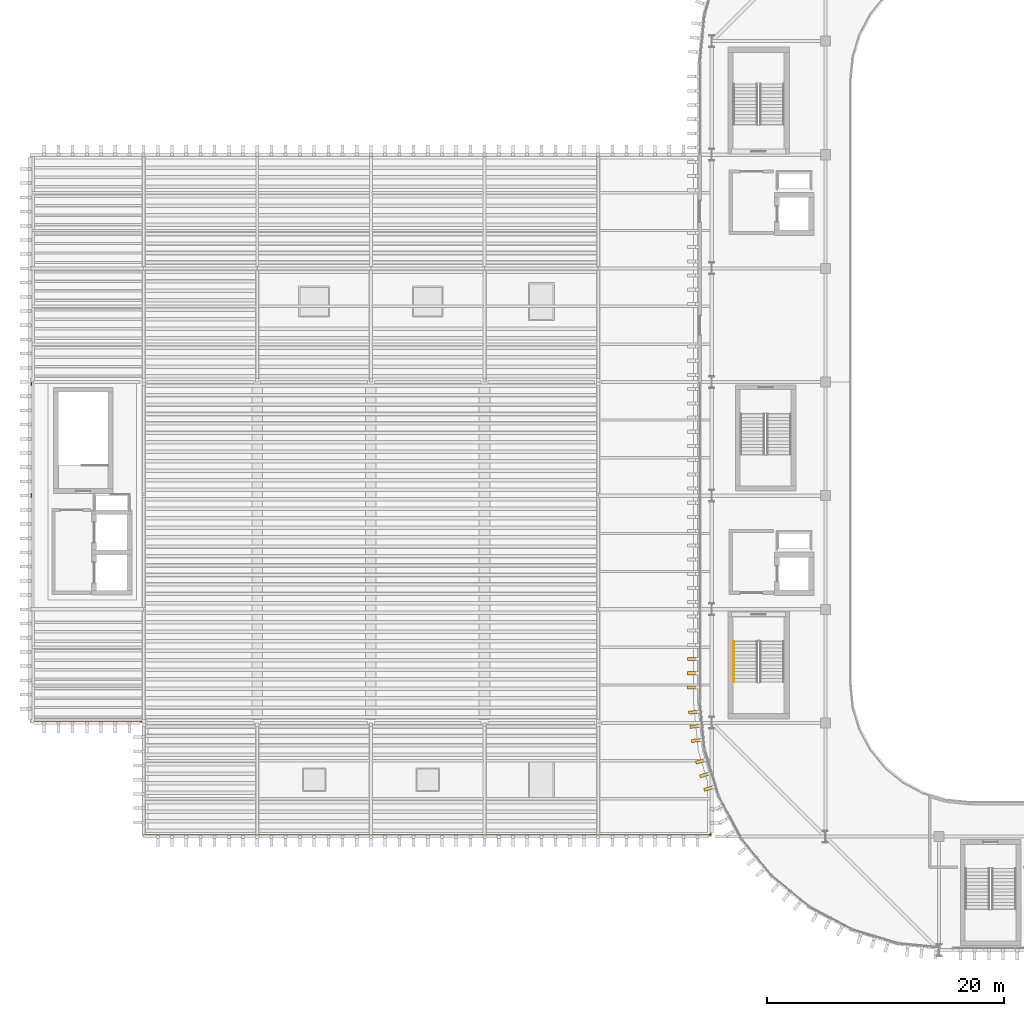
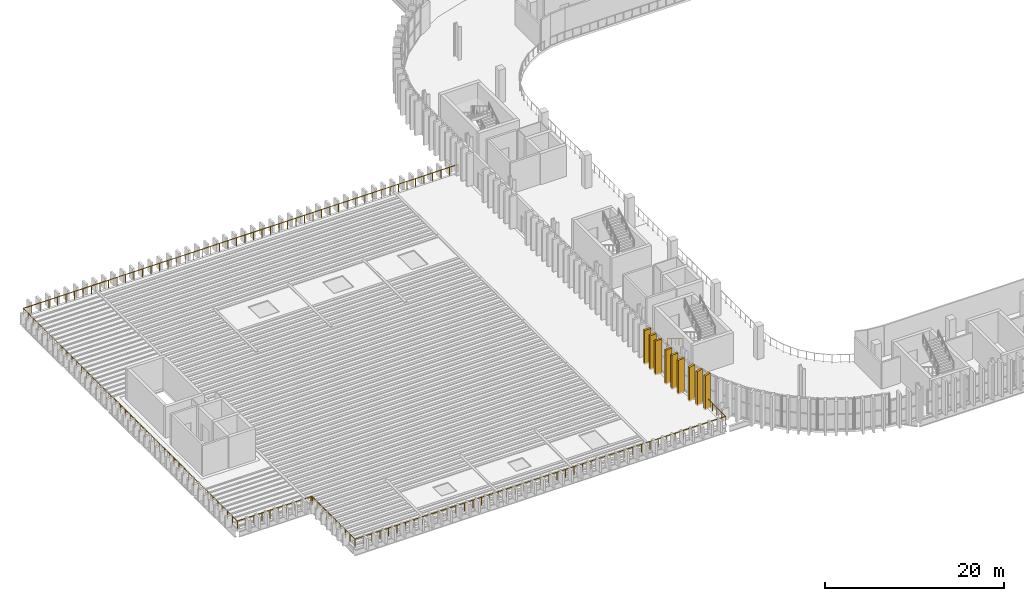
# One storey, part 74 of 92: 9 coverings, 2 railings.
"""IFC4 building model written with IfcOpenShell, lengths in metres."""

from ifc_helpers import new_model, si_unit, direction, frame, origin, origin_2d, place, context, subcontext, project, spatial, rectangle, circle, extrude, material, material_profile, profile_set, type_object, element, save


model = new_model("IFC4")

# Units and contexts
model_context = context("Model", 3, precision=1e-05, world=origin(), true_north=direction((0.0, 1.0)))
body_context = subcontext(model_context, "Body", "Model", "MODEL_VIEW")
ifc_project = project(units=[si_unit("LENGTHUNIT", "METRE"), si_unit("AREAUNIT", "SQUARE_METRE"), si_unit("VOLUMEUNIT", "CUBIC_METRE"), si_unit("PLANEANGLEUNIT", "RADIAN"), si_unit("MASSUNIT", "GRAM", prefix="KILO")], contexts=[model_context])

# Site, building, storey
site_placement = place(None, origin())
site = spatial("IfcSite", under=ifc_project, at=site_placement, CompositionType="ELEMENT")
building_placement = place(site_placement, origin())
building = spatial("IfcBuilding", under=site, at=building_placement, Name="Caelomonte Colonnade Arena", CompositionType="ELEMENT")
storey_placement = place(building_placement, frame((0.0, 0.0, 9.60009765625)))
storey = spatial("IfcBuildingStorey", under=building, at=storey_placement, Name="L02", CompositionType="ELEMENT", Elevation=9.60009765625)

# Coverings
ifc_material_1 = material(Name="Precast travertine cladding", Category="masonry")
ifc_material_profile = material_profile(ifc_material_1, rectangle(XDim=0.260009765625, YDim=0.85009765625, at=origin_2d()), Name="FIN260X850")
ifc_profile_set = profile_set([ifc_material_profile], Name="Precast travertine cladding")
covering_type = type_object("IfcCoveringType", Name="ENV-FN-SHAFT", PredefinedType="CLADDING", material=ifc_profile_set)
for number, where, z_axis, x_axis, name in (
    (1, (55.97900390625, 43.800048828125, -0.16015625), (0.0, 0.0, 1.0), (0.0, 1.0, 0.0), "V1 L02 classical travertine vertical fin 212"),
    (2, (55.97900390625, 42.60009765625, -0.16015625), (0.0, 0.0, 1.0), (0.0, 1.0, 0.0), "V1 L02 classical travertine vertical fin 213"),
    (3, (55.97900390625, 41.39990234375, -0.16015625), (0.0, 0.0, 1.0), (0.0, 1.0, 0.0), "V1 L02 classical travertine vertical fin 214"),
    (4, (56.065185546875, 39.304443359375, -0.16015625), (0.0, 0.0, 1.0), (-0.098015403404, 0.995184897743, 0.0), "V1 L02 classical travertine vertical fin 215"),
    (5, (56.182861328125, 38.1103515625, -0.16015625), (0.0, 0.0, 1.0), (-0.098015403404, 0.995184897743, 0.0), "V1 L02 classical travertine vertical fin 216"),
    (6, (56.30029296875, 36.916015625, -0.16015625), (0.0, 0.0, 1.0), (-0.098015403404, 0.995184897743, 0.0), "V1 L02 classical travertine vertical fin 217"),
    (7, (56.64990234375, 35.159423828125, -0.16015625), (0.0, 0.0, 1.0), (-0.290276326364, 0.956942868907, 0.0), "V1 L02 classical travertine vertical fin 218"),
    (8, (56.998046875, 34.010986328125, -0.16015625), (0.0, 0.0, 1.0), (-0.290276326364, 0.956942868907, 0.0), "V1 L02 classical travertine vertical fin 219"),
    (9, (57.346435546875, 32.86279296875, -0.16015625), (0.0, 0.0, 1.0), (-0.290276326364, 0.956942868907, 0.0), "V1 L02 classical travertine vertical fin 220"),
):
    element("IfcCovering", number, at=place(storey_placement, frame(where, z_axis=z_axis, x_axis=x_axis)), inside=storey, type_object=covering_type, Name=name, PredefinedType="CLADDING", context=body_context, shape_type="SweptSolid", body=[
        extrude(rectangle(XDim=0.260009765625, YDim=0.85009765625, at=origin_2d()), origin(), (0.0, 0.0, 1.0), 4.66015625),
    ])

# Railings
ifc_material_2 = material(Name="Painted galvanized steel handrail and posts", Category="steel")
railing_type_1 = type_object("IfcRailingType", Name="ENV-RL-GRD1", PredefinedType="GUARDRAIL", material=ifc_material_2)
railing_1_placement = place(storey_placement, frame((57.47998046875, 32.908203125, 0.0)))
element("IfcRailing", 10, at=railing_1_placement, inside=storey, type_object=railing_type_1, Name="Planted Roof Lawn Terrace perimeter guard 1", PredefinedType="GUARDRAIL", context=body_context, shape_type="SweptSolid", body=[
    extrude(circle(Radius=0.02392578125, at=origin_2d()), frame((0.0, 0.0, 1.076171875), z_axis=(0.0, -1.0, 0.0), x_axis=(1.0, 0.0, 0.0)), (0.0, 0.0, 1.0), 3.95703125),
    extrude(circle(Radius=0.02392578125, at=origin_2d()), frame((-0.03125, -3.98828125, 1.076171875), z_axis=(-1.0, 0.0, 0.0), x_axis=(0.0, -1.0, 0.0)), (0.0, 0.0, 1.0), 47.697509765625),
    extrude(circle(Radius=0.02392578125, at=origin_2d()), frame((-47.760009765625, -3.95703125, 1.076171875), z_axis=(0.0, 1.0, 0.0), x_axis=(-1.0, 0.0, 0.0)), (0.0, 0.0, 1.0), 9.41748046875),
    extrude(circle(Radius=0.02392578125, at=origin_2d()), frame((-47.76123046875, 5.52294921875, 1.076171875), z_axis=(-0.040782369514, 0.999168053101, 0.0), x_axis=(-0.999168053101, -0.040782369514, 0.0)), (0.0, 0.0, 1.0), 0.050048828125),
    extrude(circle(Radius=0.02392578125, at=origin_2d()), frame((-47.76513671875, 5.53466796875, 1.076171875), z_axis=(-0.147311303089, 0.989090177882, 0.0), x_axis=(-0.989090177882, -0.147311303089, 0.0)), (0.0, 0.0, 1.0), 0.050048828125),
    extrude(circle(Radius=0.02392578125, at=origin_2d()), frame((-47.77001953125, 5.54541015625, 1.076171875), z_axis=(-0.247383245266, 0.968917710624, 0.0), x_axis=(-0.968917710624, -0.247383245266, 0.0)), (0.0, 0.0, 1.0), 0.050048828125),
    extrude(circle(Radius=0.02392578125, at=origin_2d()), frame((-47.775634765625, 5.55615234375, 1.076171875), z_axis=(-0.335009667655, 0.942214690279, 0.0), x_axis=(-0.942214690279, -0.335009667655, 0.0)), (0.0, 0.0, 1.0), 0.050048828125),
    extrude(circle(Radius=0.02392578125, at=origin_2d()), frame((-47.782470703125, 5.56591796875, 1.076171875), z_axis=(-0.430729586215, 0.902481037784, 0.0), x_axis=(-0.902481037784, -0.430729586215, 0.0)), (0.0, 0.0, 1.0), 0.050048828125),
    extrude(circle(Radius=0.02392578125, at=origin_2d()), frame((-47.7900390625, 5.5751953125, 1.076171875), z_axis=(-0.511483859768, 0.85929288441, 0.0), x_axis=(-0.85929288441, -0.511483859768, 0.0)), (0.0, 0.0, 1.0), 0.050048828125),
    extrude(circle(Radius=0.02392578125, at=origin_2d()), frame((-47.798828125, 5.583740234375, 1.076171875), z_axis=(-0.59319903805, 0.805055837353, 0.0), x_axis=(-0.805055837353, -0.59319903805, 0.0)), (0.0, 0.0, 1.0), 0.050048828125),
    extrude(circle(Radius=0.02392578125, at=origin_2d()), frame((-47.808349609375, 5.5908203125, 1.076171875), z_axis=(-0.675724628517, 0.737154140201, 0.0), x_axis=(-0.737154140201, -0.675724628517, 0.0)), (0.0, 0.0, 1.0), 0.050048828125),
    extrude(circle(Radius=0.02392578125, at=origin_2d()), frame((-47.818115234375, 5.597900390625, 1.076171875), z_axis=(-0.737154140201, 0.675724628517, 0.0), x_axis=(-0.675724628517, -0.737154140201, 0.0)), (0.0, 0.0, 1.0), 0.050048828125),
    extrude(circle(Radius=0.02392578125, at=origin_2d()), frame((-47.8291015625, 5.603271484375, 1.076171875), z_axis=(-0.805055837353, 0.59319903805, 0.0), x_axis=(-0.59319903805, -0.805055837353, 0.0)), (0.0, 0.0, 1.0), 0.050048828125),
    extrude(circle(Radius=0.02392578125, at=origin_2d()), frame((-47.840087890625, 5.607421875, 1.076171875), z_axis=(-0.85929288441, 0.511483859768, 0.0), x_axis=(-0.511483859768, -0.85929288441, 0.0)), (0.0, 0.0, 1.0), 0.050048828125),
    extrude(circle(Radius=0.02392578125, at=origin_2d()), frame((-47.8515625, 5.611328125, 1.076171875), z_axis=(-0.898567515986, 0.438835298505, 0.0), x_axis=(-0.438835298505, -0.898567515986, 0.0)), (0.0, 0.0, 1.0), 0.050048828125),
    extrude(circle(Radius=0.02392578125, at=origin_2d()), frame((-47.863525390625, 5.613037109375, 1.076171875), z_axis=(-0.944496796706, 0.328520624941, 0.0), x_axis=(-0.328520624941, -0.944496796706, 0.0)), (0.0, 0.0, 1.0), 0.050048828125),
    extrude(circle(Radius=0.02392578125, at=origin_2d()), frame((-47.875732421875, 5.61376953125, 1.076171875), z_axis=(-0.973688178796, 0.227884467378, 0.0), x_axis=(-0.227884467378, -0.973688178796, 0.0)), (0.0, 0.0, 1.0), 0.050048828125),
    extrude(circle(Radius=0.02392578125, at=origin_2d()), frame((-47.8876953125, 5.614013671875, 1.076171875), z_axis=(-0.989090177882, 0.147311303089, 0.0), x_axis=(-0.147311303089, -0.989090177882, 0.0)), (0.0, 0.0, 1.0), 0.050048828125),
    extrude(circle(Radius=0.02392578125, at=origin_2d()), frame((-47.8994140625, 5.613037109375, 1.076171875), z_axis=(-0.998052578483, 0.062378286155, 0.0), x_axis=(-0.062378286155, -0.998052578483, 0.0)), (0.0, 0.0, 1.0), 0.050048828125),
    extrude(circle(Radius=0.02392578125, at=origin_2d()), frame((-47.9111328125, 5.61181640625, 1.076171875), z_axis=(-1.0, 0.0, 0.0), x_axis=(0.0, -1.0, 0.0)), (0.0, 0.0, 1.0), 9.41748046875),
    extrude(circle(Radius=0.02392578125, at=origin_2d()), frame((-57.35986328125, 5.64306640625, 1.076171875), z_axis=(0.0, 1.0, 0.0), x_axis=(-1.0, 0.0, 0.0)), (0.0, 0.0, 1.0), 47.697509765625),
    extrude(circle(Radius=0.02392578125, at=origin_2d()), frame((-57.32861328125, 53.371826171875, 1.076171875), z_axis=(1.0, 0.0, 0.0), x_axis=(0.0, 1.0, 0.0)), (0.0, 0.0, 1.0), 55.96875),
    extrude(circle(Radius=0.02099609375, at=origin_2d()), origin(), (0.0, 0.0, 1.0), 1.048095703125),
    extrude(circle(Radius=0.02099609375, at=origin_2d()), frame((0.0, -0.9970703125, 0.0)), (0.0, 0.0, 1.0), 1.048095703125),
    extrude(circle(Radius=0.02099609375, at=origin_2d()), frame((0.0, -1.994140625, 0.0)), (0.0, 0.0, 1.0), 1.048095703125),
    extrude(circle(Radius=0.02099609375, at=origin_2d()), frame((0.0, -2.9912109375, 0.0)), (0.0, 0.0, 1.0), 1.048095703125),
    extrude(circle(Radius=0.02099609375, at=origin_2d()), frame((0.0, -3.98828125, 0.0)), (0.0, 0.0, 1.0), 1.048095703125),
    extrude(circle(Radius=0.02099609375, at=origin_2d()), frame((-1.08544921875, -3.98828125, 0.0)), (0.0, 0.0, 1.0), 1.048095703125),
    extrude(circle(Radius=0.02099609375, at=origin_2d()), frame((-2.1708984375, -3.98828125, 0.0)), (0.0, 0.0, 1.0), 1.048095703125),
    extrude(circle(Radius=0.02099609375, at=origin_2d()), frame((-3.25634765625, -3.98828125, 0.0)), (0.0, 0.0, 1.0), 1.048095703125),
    extrude(circle(Radius=0.02099609375, at=origin_2d()), frame((-4.341796875, -3.98828125, 0.0)), (0.0, 0.0, 1.0), 1.048095703125),
    extrude(circle(Radius=0.02099609375, at=origin_2d()), frame((-5.42724609375, -3.98828125, 0.0)), (0.0, 0.0, 1.0), 1.048095703125),
    extrude(circle(Radius=0.02099609375, at=origin_2d()), frame((-6.5126953125, -3.98828125, 0.0)), (0.0, 0.0, 1.0), 1.048095703125),
    extrude(circle(Radius=0.02099609375, at=origin_2d()), frame((-7.59814453125, -3.98828125, 0.0)), (0.0, 0.0, 1.0), 1.048095703125),
    extrude(circle(Radius=0.02099609375, at=origin_2d()), frame((-8.68359375, -3.98828125, 0.0)), (0.0, 0.0, 1.0), 1.048095703125),
    extrude(circle(Radius=0.02099609375, at=origin_2d()), frame((-9.76904296875, -3.98828125, 0.0)), (0.0, 0.0, 1.0), 1.048095703125),
    extrude(circle(Radius=0.02099609375, at=origin_2d()), frame((-10.8544921875, -3.98828125, 0.0)), (0.0, 0.0, 1.0), 1.048095703125),
    extrude(circle(Radius=0.02099609375, at=origin_2d()), frame((-11.93994140625, -3.98828125, 0.0)), (0.0, 0.0, 1.0), 1.048095703125),
    extrude(circle(Radius=0.02099609375, at=origin_2d()), frame((-13.025390625, -3.98828125, 0.0)), (0.0, 0.0, 1.0), 1.048095703125),
    extrude(circle(Radius=0.02099609375, at=origin_2d()), frame((-14.11083984375, -3.98828125, 0.0)), (0.0, 0.0, 1.0), 1.048095703125),
    extrude(circle(Radius=0.02099609375, at=origin_2d()), frame((-15.1962890625, -3.98828125, 0.0)), (0.0, 0.0, 1.0), 1.048095703125),
    extrude(circle(Radius=0.02099609375, at=origin_2d()), frame((-16.28173828125, -3.98828125, 0.0)), (0.0, 0.0, 1.0), 1.048095703125),
    extrude(circle(Radius=0.02099609375, at=origin_2d()), frame((-17.3671875, -3.98828125, 0.0)), (0.0, 0.0, 1.0), 1.048095703125),
    extrude(circle(Radius=0.02099609375, at=origin_2d()), frame((-18.45263671875, -3.98828125, 0.0)), (0.0, 0.0, 1.0), 1.048095703125),
    extrude(circle(Radius=0.02099609375, at=origin_2d()), frame((-19.5380859375, -3.98828125, 0.0)), (0.0, 0.0, 1.0), 1.048095703125),
    extrude(circle(Radius=0.02099609375, at=origin_2d()), frame((-20.62353515625, -3.98828125, 0.0)), (0.0, 0.0, 1.0), 1.048095703125),
    extrude(circle(Radius=0.02099609375, at=origin_2d()), frame((-21.708984375, -3.98828125, 0.0)), (0.0, 0.0, 1.0), 1.048095703125),
    extrude(circle(Radius=0.02099609375, at=origin_2d()), frame((-22.79443359375, -3.98828125, 0.0)), (0.0, 0.0, 1.0), 1.048095703125),
    extrude(circle(Radius=0.02099609375, at=origin_2d()), frame((-23.8798828125, -3.98828125, 0.0)), (0.0, 0.0, 1.0), 1.048095703125),
    extrude(circle(Radius=0.02099609375, at=origin_2d()), frame((-24.965576171875, -3.98828125, 0.0)), (0.0, 0.0, 1.0), 1.048095703125),
    extrude(circle(Radius=0.02099609375, at=origin_2d()), frame((-26.051025390625, -3.98828125, 0.0)), (0.0, 0.0, 1.0), 1.048095703125),
    extrude(circle(Radius=0.02099609375, at=origin_2d()), frame((-27.136474609375, -3.98828125, 0.0)), (0.0, 0.0, 1.0), 1.048095703125),
    extrude(circle(Radius=0.02099609375, at=origin_2d()), frame((-28.221923828125, -3.98828125, 0.0)), (0.0, 0.0, 1.0), 1.048095703125),
    extrude(circle(Radius=0.02099609375, at=origin_2d()), frame((-29.307373046875, -3.98828125, 0.0)), (0.0, 0.0, 1.0), 1.048095703125),
    extrude(circle(Radius=0.02099609375, at=origin_2d()), frame((-30.392822265625, -3.98828125, 0.0)), (0.0, 0.0, 1.0), 1.048095703125),
    extrude(circle(Radius=0.02099609375, at=origin_2d()), frame((-31.478271484375, -3.98828125, 0.0)), (0.0, 0.0, 1.0), 1.048095703125),
    extrude(circle(Radius=0.02099609375, at=origin_2d()), frame((-32.563720703125, -3.98828125, 0.0)), (0.0, 0.0, 1.0), 1.048095703125),
    extrude(circle(Radius=0.02099609375, at=origin_2d()), frame((-33.649169921875, -3.98828125, 0.0)), (0.0, 0.0, 1.0), 1.048095703125),
    extrude(circle(Radius=0.02099609375, at=origin_2d()), frame((-34.734619140625, -3.98828125, 0.0)), (0.0, 0.0, 1.0), 1.048095703125),
    extrude(circle(Radius=0.02099609375, at=origin_2d()), frame((-35.820068359375, -3.98828125, 0.0)), (0.0, 0.0, 1.0), 1.048095703125),
    extrude(circle(Radius=0.02099609375, at=origin_2d()), frame((-36.905517578125, -3.98828125, 0.0)), (0.0, 0.0, 1.0), 1.048095703125),
    extrude(circle(Radius=0.02099609375, at=origin_2d()), frame((-37.990966796875, -3.98828125, 0.0)), (0.0, 0.0, 1.0), 1.048095703125),
    extrude(circle(Radius=0.02099609375, at=origin_2d()), frame((-39.076416015625, -3.98828125, 0.0)), (0.0, 0.0, 1.0), 1.048095703125),
    extrude(circle(Radius=0.02099609375, at=origin_2d()), frame((-40.161865234375, -3.98828125, 0.0)), (0.0, 0.0, 1.0), 1.048095703125),
    extrude(circle(Radius=0.02099609375, at=origin_2d()), frame((-41.247314453125, -3.98828125, 0.0)), (0.0, 0.0, 1.0), 1.048095703125),
    extrude(circle(Radius=0.02099609375, at=origin_2d()), frame((-42.332763671875, -3.98828125, 0.0)), (0.0, 0.0, 1.0), 1.048095703125),
    extrude(circle(Radius=0.02099609375, at=origin_2d()), frame((-43.418212890625, -3.98828125, 0.0)), (0.0, 0.0, 1.0), 1.048095703125),
    extrude(circle(Radius=0.02099609375, at=origin_2d()), frame((-44.503662109375, -3.98828125, 0.0)), (0.0, 0.0, 1.0), 1.048095703125),
    extrude(circle(Radius=0.02099609375, at=origin_2d()), frame((-45.589111328125, -3.98828125, 0.0)), (0.0, 0.0, 1.0), 1.048095703125),
    extrude(circle(Radius=0.02099609375, at=origin_2d()), frame((-46.674560546875, -3.98828125, 0.0)), (0.0, 0.0, 1.0), 1.048095703125),
    extrude(circle(Radius=0.02099609375, at=origin_2d()), frame((-47.760009765625, -3.98828125, 0.0)), (0.0, 0.0, 1.0), 1.048095703125),
    extrude(circle(Radius=0.02099609375, at=origin_2d()), frame((-47.760009765625, -2.93505859375, 0.0)), (0.0, 0.0, 1.0), 1.048095703125),
    extrude(circle(Radius=0.02099609375, at=origin_2d()), frame((-47.760009765625, -1.881591796875, 0.0)), (0.0, 0.0, 1.0), 1.048095703125),
    extrude(circle(Radius=0.02099609375, at=origin_2d()), frame((-47.760009765625, -0.828369140625, 0.0)), (0.0, 0.0, 1.0), 1.048095703125),
    extrude(circle(Radius=0.02099609375, at=origin_2d()), frame((-47.760009765625, 0.22509765625, 0.0)), (0.0, 0.0, 1.0), 1.048095703125),
    extrude(circle(Radius=0.02099609375, at=origin_2d()), frame((-47.760009765625, 1.2783203125, 0.0)), (0.0, 0.0, 1.0), 1.048095703125),
    extrude(circle(Radius=0.02099609375, at=origin_2d()), frame((-47.760009765625, 2.331787109375, 0.0)), (0.0, 0.0, 1.0), 1.048095703125),
    extrude(circle(Radius=0.02099609375, at=origin_2d()), frame((-47.760009765625, 3.385009765625, 0.0)), (0.0, 0.0, 1.0), 1.048095703125),
    extrude(circle(Radius=0.02099609375, at=origin_2d()), frame((-47.760009765625, 4.4384765625, 0.0)), (0.0, 0.0, 1.0), 1.048095703125),
    extrude(circle(Radius=0.02099609375, at=origin_2d()), frame((-47.760009765625, 5.49169921875, 0.0)), (0.0, 0.0, 1.0), 1.048095703125),
    extrude(circle(Radius=0.02099609375, at=origin_2d()), frame((-47.774169921875, 5.54833984375, 0.0)), (0.0, 0.0, 1.0), 1.048095703125),
    extrude(circle(Radius=0.02099609375, at=origin_2d()), frame((-47.813232421875, 5.591552734375, 0.0)), (0.0, 0.0, 1.0), 1.048095703125),
    extrude(circle(Radius=0.02099609375, at=origin_2d()), frame((-47.8681640625, 5.611083984375, 0.0)), (0.0, 0.0, 1.0), 1.048095703125),
    extrude(circle(Radius=0.02099609375, at=origin_2d()), frame((-48.93310546875, 5.61181640625, 0.0)), (0.0, 0.0, 1.0), 1.048095703125),
    extrude(circle(Radius=0.02099609375, at=origin_2d()), frame((-49.986572265625, 5.61181640625, 0.0)), (0.0, 0.0, 1.0), 1.048095703125),
    extrude(circle(Radius=0.02099609375, at=origin_2d()), frame((-51.039794921875, 5.61181640625, 0.0)), (0.0, 0.0, 1.0), 1.048095703125),
    extrude(circle(Radius=0.02099609375, at=origin_2d()), frame((-52.09326171875, 5.61181640625, 0.0)), (0.0, 0.0, 1.0), 1.048095703125),
    extrude(circle(Radius=0.02099609375, at=origin_2d()), frame((-53.146484375, 5.61181640625, 0.0)), (0.0, 0.0, 1.0), 1.048095703125),
    extrude(circle(Radius=0.02099609375, at=origin_2d()), frame((-54.199951171875, 5.61181640625, 0.0)), (0.0, 0.0, 1.0), 1.048095703125),
    extrude(circle(Radius=0.02099609375, at=origin_2d()), frame((-55.253173828125, 5.61181640625, 0.0)), (0.0, 0.0, 1.0), 1.048095703125),
    extrude(circle(Radius=0.02099609375, at=origin_2d()), frame((-56.306640625, 5.61181640625, 0.0)), (0.0, 0.0, 1.0), 1.048095703125),
    extrude(circle(Radius=0.02099609375, at=origin_2d()), frame((-57.35986328125, 5.61181640625, 0.0)), (0.0, 0.0, 1.0), 1.048095703125),
    extrude(circle(Radius=0.02099609375, at=origin_2d()), frame((-57.35986328125, 6.697265625, 0.0)), (0.0, 0.0, 1.0), 1.048095703125),
    extrude(circle(Radius=0.02099609375, at=origin_2d()), frame((-57.35986328125, 7.78271484375, 0.0)), (0.0, 0.0, 1.0), 1.048095703125),
    extrude(circle(Radius=0.02099609375, at=origin_2d()), frame((-57.35986328125, 8.8681640625, 0.0)), (0.0, 0.0, 1.0), 1.048095703125),
    extrude(circle(Radius=0.02099609375, at=origin_2d()), frame((-57.35986328125, 9.95361328125, 0.0)), (0.0, 0.0, 1.0), 1.048095703125),
    extrude(circle(Radius=0.02099609375, at=origin_2d()), frame((-57.35986328125, 11.0390625, 0.0)), (0.0, 0.0, 1.0), 1.048095703125),
    extrude(circle(Radius=0.02099609375, at=origin_2d()), frame((-57.35986328125, 12.12451171875, 0.0)), (0.0, 0.0, 1.0), 1.048095703125),
    extrude(circle(Radius=0.02099609375, at=origin_2d()), frame((-57.35986328125, 13.2099609375, 0.0)), (0.0, 0.0, 1.0), 1.048095703125),
    extrude(circle(Radius=0.02099609375, at=origin_2d()), frame((-57.35986328125, 14.29541015625, 0.0)), (0.0, 0.0, 1.0), 1.048095703125),
    extrude(circle(Radius=0.02099609375, at=origin_2d()), frame((-57.35986328125, 15.380859375, 0.0)), (0.0, 0.0, 1.0), 1.048095703125),
    extrude(circle(Radius=0.02099609375, at=origin_2d()), frame((-57.35986328125, 16.46630859375, 0.0)), (0.0, 0.0, 1.0), 1.048095703125),
    extrude(circle(Radius=0.02099609375, at=origin_2d()), frame((-57.35986328125, 17.5517578125, 0.0)), (0.0, 0.0, 1.0), 1.048095703125),
    extrude(circle(Radius=0.02099609375, at=origin_2d()), frame((-57.35986328125, 18.63720703125, 0.0)), (0.0, 0.0, 1.0), 1.048095703125),
    extrude(circle(Radius=0.02099609375, at=origin_2d()), frame((-57.35986328125, 19.72265625, 0.0)), (0.0, 0.0, 1.0), 1.048095703125),
    extrude(circle(Radius=0.02099609375, at=origin_2d()), frame((-57.35986328125, 20.80810546875, 0.0)), (0.0, 0.0, 1.0), 1.048095703125),
    extrude(circle(Radius=0.02099609375, at=origin_2d()), frame((-57.35986328125, 21.8935546875, 0.0)), (0.0, 0.0, 1.0), 1.048095703125),
    extrude(circle(Radius=0.02099609375, at=origin_2d()), frame((-57.35986328125, 22.97900390625, 0.0)), (0.0, 0.0, 1.0), 1.048095703125),
    extrude(circle(Radius=0.02099609375, at=origin_2d()), frame((-57.35986328125, 24.064453125, 0.0)), (0.0, 0.0, 1.0), 1.048095703125),
    extrude(circle(Radius=0.02099609375, at=origin_2d()), frame((-57.35986328125, 25.14990234375, 0.0)), (0.0, 0.0, 1.0), 1.048095703125),
    extrude(circle(Radius=0.02099609375, at=origin_2d()), frame((-57.35986328125, 26.2353515625, 0.0)), (0.0, 0.0, 1.0), 1.048095703125),
    extrude(circle(Radius=0.02099609375, at=origin_2d()), frame((-57.35986328125, 27.32080078125, 0.0)), (0.0, 0.0, 1.0), 1.048095703125),
    extrude(circle(Radius=0.02099609375, at=origin_2d()), frame((-57.35986328125, 28.40625, 0.0)), (0.0, 0.0, 1.0), 1.048095703125),
    extrude(circle(Radius=0.02099609375, at=origin_2d()), frame((-57.35986328125, 29.49169921875, 0.0)), (0.0, 0.0, 1.0), 1.048095703125),
    extrude(circle(Radius=0.02099609375, at=origin_2d()), frame((-57.35986328125, 30.577392578125, 0.0)), (0.0, 0.0, 1.0), 1.048095703125),
    extrude(circle(Radius=0.02099609375, at=origin_2d()), frame((-57.35986328125, 31.662841796875, 0.0)), (0.0, 0.0, 1.0), 1.048095703125),
    extrude(circle(Radius=0.02099609375, at=origin_2d()), frame((-57.35986328125, 32.748291015625, 0.0)), (0.0, 0.0, 1.0), 1.048095703125),
    extrude(circle(Radius=0.02099609375, at=origin_2d()), frame((-57.35986328125, 33.833740234375, 0.0)), (0.0, 0.0, 1.0), 1.048095703125),
    extrude(circle(Radius=0.02099609375, at=origin_2d()), frame((-57.35986328125, 34.919189453125, 0.0)), (0.0, 0.0, 1.0), 1.048095703125),
    extrude(circle(Radius=0.02099609375, at=origin_2d()), frame((-57.35986328125, 36.004638671875, 0.0)), (0.0, 0.0, 1.0), 1.048095703125),
    extrude(circle(Radius=0.02099609375, at=origin_2d()), frame((-57.35986328125, 37.090087890625, 0.0)), (0.0, 0.0, 1.0), 1.048095703125),
    extrude(circle(Radius=0.02099609375, at=origin_2d()), frame((-57.35986328125, 38.175537109375, 0.0)), (0.0, 0.0, 1.0), 1.048095703125),
    extrude(circle(Radius=0.02099609375, at=origin_2d()), frame((-57.35986328125, 39.260986328125, 0.0)), (0.0, 0.0, 1.0), 1.048095703125),
    extrude(circle(Radius=0.02099609375, at=origin_2d()), frame((-57.35986328125, 40.346435546875, 0.0)), (0.0, 0.0, 1.0), 1.048095703125),
    extrude(circle(Radius=0.02099609375, at=origin_2d()), frame((-57.35986328125, 41.431884765625, 0.0)), (0.0, 0.0, 1.0), 1.048095703125),
    extrude(circle(Radius=0.02099609375, at=origin_2d()), frame((-57.35986328125, 42.517333984375, 0.0)), (0.0, 0.0, 1.0), 1.048095703125),
    extrude(circle(Radius=0.02099609375, at=origin_2d()), frame((-57.35986328125, 43.602783203125, 0.0)), (0.0, 0.0, 1.0), 1.048095703125),
    extrude(circle(Radius=0.02099609375, at=origin_2d()), frame((-57.35986328125, 44.688232421875, 0.0)), (0.0, 0.0, 1.0), 1.048095703125),
    extrude(circle(Radius=0.02099609375, at=origin_2d()), frame((-57.35986328125, 45.773681640625, 0.0)), (0.0, 0.0, 1.0), 1.048095703125),
    extrude(circle(Radius=0.02099609375, at=origin_2d()), frame((-57.35986328125, 46.859130859375, 0.0)), (0.0, 0.0, 1.0), 1.048095703125),
    extrude(circle(Radius=0.02099609375, at=origin_2d()), frame((-57.35986328125, 47.944580078125, 0.0)), (0.0, 0.0, 1.0), 1.048095703125),
    extrude(circle(Radius=0.02099609375, at=origin_2d()), frame((-57.35986328125, 49.030029296875, 0.0)), (0.0, 0.0, 1.0), 1.048095703125),
    extrude(circle(Radius=0.02099609375, at=origin_2d()), frame((-57.35986328125, 50.115478515625, 0.0)), (0.0, 0.0, 1.0), 1.048095703125),
    extrude(circle(Radius=0.02099609375, at=origin_2d()), frame((-57.35986328125, 51.200927734375, 0.0)), (0.0, 0.0, 1.0), 1.048095703125),
    extrude(circle(Radius=0.02099609375, at=origin_2d()), frame((-57.35986328125, 52.286376953125, 0.0)), (0.0, 0.0, 1.0), 1.048095703125),
    extrude(circle(Radius=0.02099609375, at=origin_2d()), frame((-57.35986328125, 53.371826171875, 0.0)), (0.0, 0.0, 1.0), 1.048095703125),
    extrude(circle(Radius=0.02099609375, at=origin_2d()), frame((-56.26171875, 53.371826171875, 0.0)), (0.0, 0.0, 1.0), 1.048095703125),
    extrude(circle(Radius=0.02099609375, at=origin_2d()), frame((-55.163818359375, 53.371826171875, 0.0)), (0.0, 0.0, 1.0), 1.048095703125),
    extrude(circle(Radius=0.02099609375, at=origin_2d()), frame((-54.065673828125, 53.371826171875, 0.0)), (0.0, 0.0, 1.0), 1.048095703125),
    extrude(circle(Radius=0.02099609375, at=origin_2d()), frame((-52.9677734375, 53.371826171875, 0.0)), (0.0, 0.0, 1.0), 1.048095703125),
    extrude(circle(Radius=0.02099609375, at=origin_2d()), frame((-51.86962890625, 53.371826171875, 0.0)), (0.0, 0.0, 1.0), 1.048095703125),
    extrude(circle(Radius=0.02099609375, at=origin_2d()), frame((-50.771728515625, 53.371826171875, 0.0)), (0.0, 0.0, 1.0), 1.048095703125),
    extrude(circle(Radius=0.02099609375, at=origin_2d()), frame((-49.673583984375, 53.371826171875, 0.0)), (0.0, 0.0, 1.0), 1.048095703125),
    extrude(circle(Radius=0.02099609375, at=origin_2d()), frame((-48.575439453125, 53.371826171875, 0.0)), (0.0, 0.0, 1.0), 1.048095703125),
    extrude(circle(Radius=0.02099609375, at=origin_2d()), frame((-47.4775390625, 53.371826171875, 0.0)), (0.0, 0.0, 1.0), 1.048095703125),
    extrude(circle(Radius=0.02099609375, at=origin_2d()), frame((-46.37939453125, 53.371826171875, 0.0)), (0.0, 0.0, 1.0), 1.048095703125),
    extrude(circle(Radius=0.02099609375, at=origin_2d()), frame((-45.281494140625, 53.371826171875, 0.0)), (0.0, 0.0, 1.0), 1.048095703125),
    extrude(circle(Radius=0.02099609375, at=origin_2d()), frame((-44.183349609375, 53.371826171875, 0.0)), (0.0, 0.0, 1.0), 1.048095703125),
    extrude(circle(Radius=0.02099609375, at=origin_2d()), frame((-43.08544921875, 53.371826171875, 0.0)), (0.0, 0.0, 1.0), 1.048095703125),
    extrude(circle(Radius=0.02099609375, at=origin_2d()), frame((-41.9873046875, 53.371826171875, 0.0)), (0.0, 0.0, 1.0), 1.048095703125),
    extrude(circle(Radius=0.02099609375, at=origin_2d()), frame((-40.88916015625, 53.371826171875, 0.0)), (0.0, 0.0, 1.0), 1.048095703125),
    extrude(circle(Radius=0.02099609375, at=origin_2d()), frame((-39.791259765625, 53.371826171875, 0.0)), (0.0, 0.0, 1.0), 1.048095703125),
    extrude(circle(Radius=0.02099609375, at=origin_2d()), frame((-38.693115234375, 53.371826171875, 0.0)), (0.0, 0.0, 1.0), 1.048095703125),
    extrude(circle(Radius=0.02099609375, at=origin_2d()), frame((-37.59521484375, 53.371826171875, 0.0)), (0.0, 0.0, 1.0), 1.048095703125),
    extrude(circle(Radius=0.02099609375, at=origin_2d()), frame((-36.4970703125, 53.371826171875, 0.0)), (0.0, 0.0, 1.0), 1.048095703125),
    extrude(circle(Radius=0.02099609375, at=origin_2d()), frame((-35.399169921875, 53.371826171875, 0.0)), (0.0, 0.0, 1.0), 1.048095703125),
    extrude(circle(Radius=0.02099609375, at=origin_2d()), frame((-34.301025390625, 53.371826171875, 0.0)), (0.0, 0.0, 1.0), 1.048095703125),
    extrude(circle(Radius=0.02099609375, at=origin_2d()), frame((-33.202880859375, 53.371826171875, 0.0)), (0.0, 0.0, 1.0), 1.048095703125),
    extrude(circle(Radius=0.02099609375, at=origin_2d()), frame((-32.10498046875, 53.371826171875, 0.0)), (0.0, 0.0, 1.0), 1.048095703125),
    extrude(circle(Radius=0.02099609375, at=origin_2d()), frame((-31.0068359375, 53.371826171875, 0.0)), (0.0, 0.0, 1.0), 1.048095703125),
    extrude(circle(Radius=0.02099609375, at=origin_2d()), frame((-29.908935546875, 53.371826171875, 0.0)), (0.0, 0.0, 1.0), 1.048095703125),
    extrude(circle(Radius=0.02099609375, at=origin_2d()), frame((-28.810791015625, 53.371826171875, 0.0)), (0.0, 0.0, 1.0), 1.048095703125),
    extrude(circle(Radius=0.02099609375, at=origin_2d()), frame((-27.712890625, 53.371826171875, 0.0)), (0.0, 0.0, 1.0), 1.048095703125),
    extrude(circle(Radius=0.02099609375, at=origin_2d()), frame((-26.61474609375, 53.371826171875, 0.0)), (0.0, 0.0, 1.0), 1.048095703125),
    extrude(circle(Radius=0.02099609375, at=origin_2d()), frame((-25.516845703125, 53.371826171875, 0.0)), (0.0, 0.0, 1.0), 1.048095703125),
    extrude(circle(Radius=0.02099609375, at=origin_2d()), frame((-24.418701171875, 53.371826171875, 0.0)), (0.0, 0.0, 1.0), 1.048095703125),
    extrude(circle(Radius=0.02099609375, at=origin_2d()), frame((-23.320556640625, 53.371826171875, 0.0)), (0.0, 0.0, 1.0), 1.048095703125),
    extrude(circle(Radius=0.02099609375, at=origin_2d()), frame((-22.22265625, 53.371826171875, 0.0)), (0.0, 0.0, 1.0), 1.048095703125),
    extrude(circle(Radius=0.02099609375, at=origin_2d()), frame((-21.12451171875, 53.371826171875, 0.0)), (0.0, 0.0, 1.0), 1.048095703125),
    extrude(circle(Radius=0.02099609375, at=origin_2d()), frame((-20.026611328125, 53.371826171875, 0.0)), (0.0, 0.0, 1.0), 1.048095703125),
    extrude(circle(Radius=0.02099609375, at=origin_2d()), frame((-18.928466796875, 53.371826171875, 0.0)), (0.0, 0.0, 1.0), 1.048095703125),
    extrude(circle(Radius=0.02099609375, at=origin_2d()), frame((-17.83056640625, 53.371826171875, 0.0)), (0.0, 0.0, 1.0), 1.048095703125),
    extrude(circle(Radius=0.02099609375, at=origin_2d()), frame((-16.732421875, 53.371826171875, 0.0)), (0.0, 0.0, 1.0), 1.048095703125),
    extrude(circle(Radius=0.02099609375, at=origin_2d()), frame((-15.63427734375, 53.371826171875, 0.0)), (0.0, 0.0, 1.0), 1.048095703125),
    extrude(circle(Radius=0.02099609375, at=origin_2d()), frame((-14.536376953125, 53.371826171875, 0.0)), (0.0, 0.0, 1.0), 1.048095703125),
    extrude(circle(Radius=0.02099609375, at=origin_2d()), frame((-13.438232421875, 53.371826171875, 0.0)), (0.0, 0.0, 1.0), 1.048095703125),
    extrude(circle(Radius=0.02099609375, at=origin_2d()), frame((-12.34033203125, 53.371826171875, 0.0)), (0.0, 0.0, 1.0), 1.048095703125),
    extrude(circle(Radius=0.02099609375, at=origin_2d()), frame((-11.2421875, 53.371826171875, 0.0)), (0.0, 0.0, 1.0), 1.048095703125),
    extrude(circle(Radius=0.02099609375, at=origin_2d()), frame((-10.144287109375, 53.371826171875, 0.0)), (0.0, 0.0, 1.0), 1.048095703125),
    extrude(circle(Radius=0.02099609375, at=origin_2d()), frame((-9.046142578125, 53.371826171875, 0.0)), (0.0, 0.0, 1.0), 1.048095703125),
    extrude(circle(Radius=0.02099609375, at=origin_2d()), frame((-7.947998046875, 53.371826171875, 0.0)), (0.0, 0.0, 1.0), 1.048095703125),
    extrude(circle(Radius=0.02099609375, at=origin_2d()), frame((-6.85009765625, 53.371826171875, 0.0)), (0.0, 0.0, 1.0), 1.048095703125),
    extrude(circle(Radius=0.02099609375, at=origin_2d()), frame((-5.751953125, 53.371826171875, 0.0)), (0.0, 0.0, 1.0), 1.048095703125),
    extrude(circle(Radius=0.02099609375, at=origin_2d()), frame((-4.654052734375, 53.371826171875, 0.0)), (0.0, 0.0, 1.0), 1.048095703125),
    extrude(circle(Radius=0.02099609375, at=origin_2d()), frame((-3.555908203125, 53.371826171875, 0.0)), (0.0, 0.0, 1.0), 1.048095703125),
    extrude(circle(Radius=0.02099609375, at=origin_2d()), frame((-2.4580078125, 53.371826171875, 0.0)), (0.0, 0.0, 1.0), 1.048095703125),
    extrude(circle(Radius=0.02099609375, at=origin_2d()), frame((-1.35986328125, 53.371826171875, 0.0)), (0.0, 0.0, 1.0), 1.048095703125),
])
ifc_material_3 = material(Name="Brushed stainless steel stair handrail", Category="steel")
railing_type_2 = type_object("IfcRailingType", Name="INT-RL-HR", PredefinedType="HANDRAIL", material=ifc_material_3)
railing_2_placement = place(storey_placement, frame((59.449951171875, 45.300048828125, 0.173095703125)))
element("IfcRailing", 11, at=railing_2_placement, inside=storey, type_object=railing_type_2, Name="L02 ST-01 stair handrail 1", PredefinedType="HANDRAIL", context=body_context, shape_type="SweptSolid", body=[
    extrude(circle(Radius=0.02392578125, at=origin_2d()), frame((0.0, 0.0, 0.8759765625), z_axis=(0.0, -0.854745945586, 0.519046595696), x_axis=(1.0, 0.0, 0.0)), (0.0, 0.0, 1.0), 4.00146484375),
    extrude(circle(Radius=0.02099609375, at=origin_2d()), origin(), (0.0, 0.0, 1.0), 0.847900390625),
    extrude(circle(Radius=0.02099609375, at=origin_2d()), frame((0.0, -0.85498046875, 0.519287109375)), (0.0, 0.0, 1.0), 0.847900390625),
    extrude(circle(Radius=0.02099609375, at=origin_2d()), frame((0.0, -1.7099609375, 1.03857421875)), (0.0, 0.0, 1.0), 0.847900390625),
    extrude(circle(Radius=0.02099609375, at=origin_2d()), frame((0.0, -2.565185546875, 1.5576171875)), (0.0, 0.0, 1.0), 0.847900390625),
    extrude(circle(Radius=0.02099609375, at=origin_2d()), frame((0.0, -3.420166015625, 2.076904296875)), (0.0, 0.0, 1.0), 0.847900390625),
])

save(model, "model.ifc")
